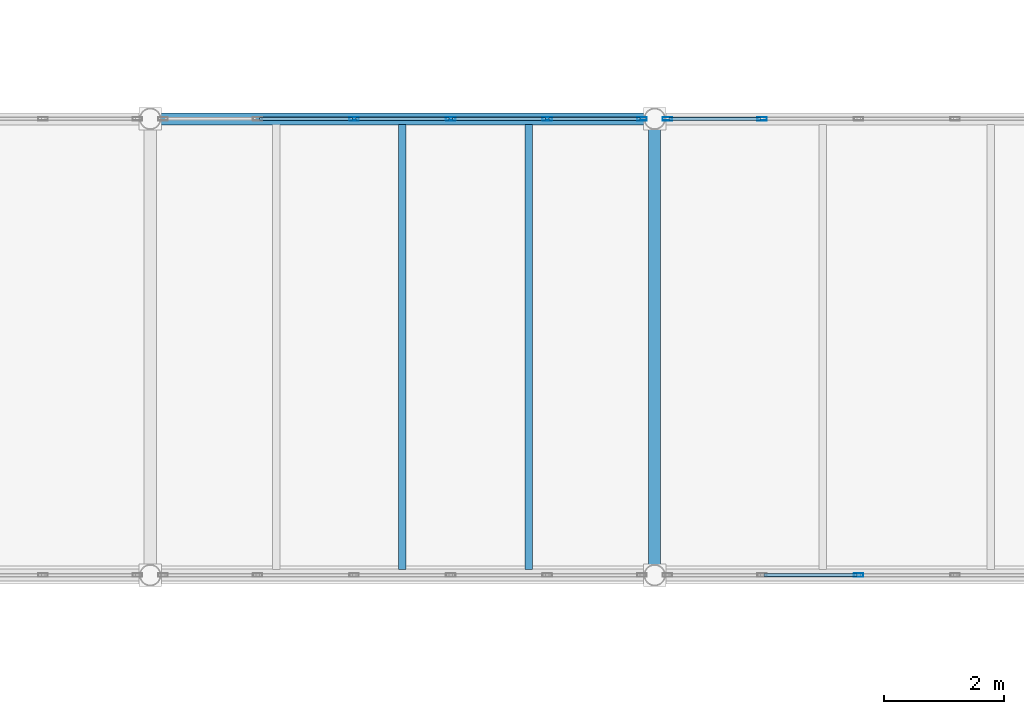
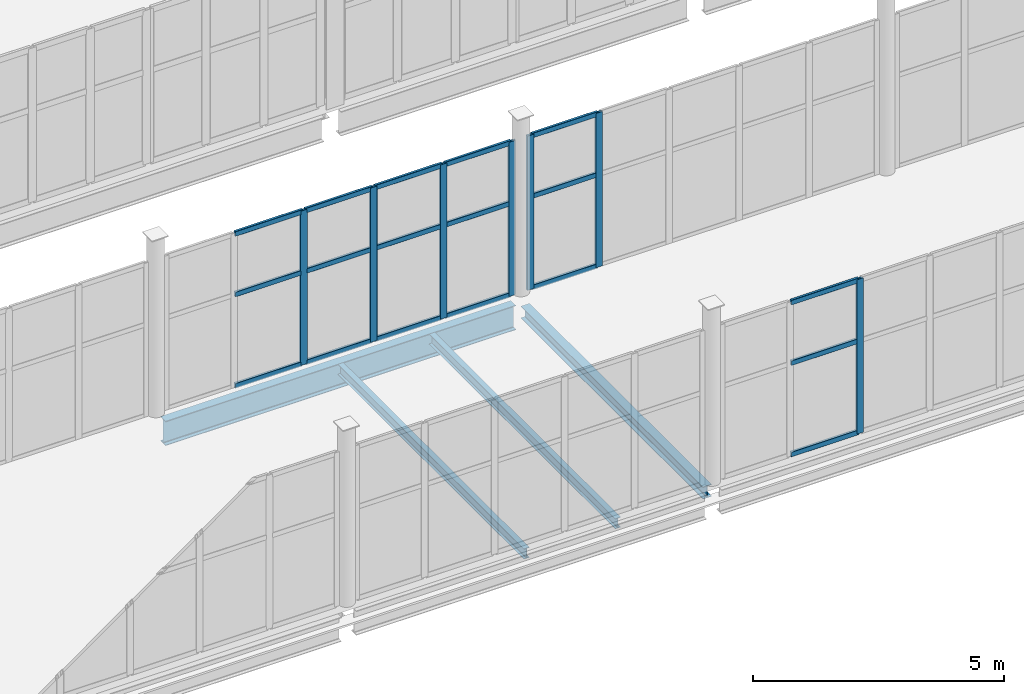
# One storey, part 45 of 172: 25 members, 4 beams, 3 elements without a shape of their own.
"""IFC4 building model written with IfcOpenShell, lengths in metres."""

import ifcopenshell
import ifcopenshell.guid

model = None  # the IFC model being written
_history = None  # IfcOwnerHistory: only IFC2X3 demands one
_inside = {}  # id of a spatial element -> (the spatial element, [elements in it])
_under = {}  # id of a project, library or spatial element -> (it, [spatial elements below it])
_declared = {}  # id of a project -> (the project, [libraries it declares])
_typed = {}  # id of a type object -> (the type object, [elements of that type])
_made_of = {}  # id of a material, layer set ... -> (it, [elements and type objects made of it])


def new_model(schema):
    """Start an empty IFC model of exactly this schema.

    Asked for "IFC4X3", IfcOpenShell would pick the latest addendum, in which some entities
    have other attributes; the version numbers below select the first issue.
    IFC2X3 requires an IfcOwnerHistory on every rooted entity: one is made here for all.
    """
    global model, _history
    if schema == "IFC4X3":
        model = ifcopenshell.file(schema_version=(4, 3, 0, 0))
    else:
        model = ifcopenshell.file(schema=schema)
    _inside.clear()
    _under.clear()
    _declared.clear()
    _typed.clear()
    _made_of.clear()
    _history = None
    if model.schema == "IFC2X3":
        org = make("IfcOrganization", Name="unknown")
        user = make(
            "IfcPersonAndOrganization",
            ThePerson=make("IfcPerson", FamilyName="unknown"),
            TheOrganization=org,
        )
        app = make(
            "IfcApplication",
            ApplicationDeveloper=org,
            Version="unknown",
            ApplicationFullName="unknown",
            ApplicationIdentifier="unknown",
        )
        _history = make(
            "IfcOwnerHistory",
            OwningUser=user,
            OwningApplication=app,
            ChangeAction="ADDED",
            CreationDate=0,
        )
    return model


def make(cls, **values):
    """One entity of the class cls with the attributes given. An attribute that is None is left unset."""
    return model.create_entity(
        cls, **{name: value for name, value in values.items() if value is not None}
    )


def rooted(cls, **values):
    """An entity with a GlobalId (a new one), such as an element, a storey or a relation."""
    return make(cls, GlobalId=ifcopenshell.guid.new(), OwnerHistory=_history, **values)


def si_unit(unit_type, name, prefix=None):
    """IfcSIUnit, for example si_unit("LENGTHUNIT", "METRE", prefix="MILLI")."""
    return make("IfcSIUnit", UnitType=unit_type, Prefix=prefix, Name=name)


def assignment(units):
    """IfcUnitAssignment: the units of a project."""
    return None if units is None else make("IfcUnitAssignment", Units=units)


def point(xyz):
    """IfcCartesianPoint."""
    return None if xyz is None else make("IfcCartesianPoint", Coordinates=xyz)


def direction(xyz):
    """IfcDirection."""
    return None if xyz is None else make("IfcDirection", DirectionRatios=xyz)


def frame(location, z_axis=None, x_axis=None):
    """IfcAxis2Placement3D, a coordinate frame: its origin and axes. An axis left out is left unset."""
    return make(
        "IfcAxis2Placement3D",
        Location=point(location),
        Axis=direction(z_axis),
        RefDirection=direction(x_axis),
    )


def frame_2d(location, x_axis=None):
    """IfcAxis2Placement2D, a coordinate frame in the plane: its origin and x axis."""
    return make(
        "IfcAxis2Placement2D", Location=point(location), RefDirection=direction(x_axis)
    )


def origin():
    """The frame at (0, 0, 0) with its axes left unset."""
    return frame((0.0, 0.0, 0.0))


def origin_2d():
    """The frame at (0, 0) in the plane with its x axis left unset."""
    return frame_2d((0.0, 0.0))


def place(relative_to, where):
    """IfcLocalPlacement: puts the frame where relative to a parent placement (None: the world)."""
    return make(
        "IfcLocalPlacement", PlacementRelTo=relative_to, RelativePlacement=where
    )


def context(
    kind, dimensions, precision=None, world=None, true_north=None, identifier=None
):
    """IfcGeometricRepresentationContext, for example the 3D "Model" context."""
    return make(
        "IfcGeometricRepresentationContext",
        ContextIdentifier=identifier,
        ContextType=kind,
        CoordinateSpaceDimension=dimensions,
        Precision=precision,
        WorldCoordinateSystem=world,
        TrueNorth=true_north,
    )


def subcontext(parent, identifier, kind, view, scale=None):
    """IfcGeometricRepresentationSubContext, for example "Body" below "Model"."""
    return make(
        "IfcGeometricRepresentationSubContext",
        ContextIdentifier=identifier,
        ContextType=kind,
        ParentContext=parent,
        TargetScale=scale,
        TargetView=view,
    )


def project(units=None, contexts=None):
    """IfcProject with its units and contexts."""
    return rooted(
        "IfcProject",
        Name="project",
        RepresentationContexts=contexts,
        UnitsInContext=assignment(units),
    )


def spatial(cls, under=None, at=None, **own):
    """A site, building, storey or space (cls), placed at a placement, below another one or the project."""
    s = rooted(cls, ObjectPlacement=at, **own)
    if under is not None:
        _under.setdefault(under.id(), (under, []))[1].append(s)
    return s


def profile(cls, at=None, kind="AREA", **sizes):
    """A parametric profile (cls). Its sizes go by their IFC names, for example OverallWidth=200.0."""
    return make(cls, ProfileType=kind, Position=at, **sizes)


def hollow_rectangle(**sizes):
    """IfcRectangleHollowProfileDef."""
    return profile("IfcRectangleHollowProfileDef", **sizes)


def i_section(**sizes):
    """IfcIShapeProfileDef."""
    return profile("IfcIShapeProfileDef", **sizes)


def extrude(swept, where, along, depth):
    """IfcExtrudedAreaSolid: the profile swept, set in the frame where, extruded along a direction by depth."""
    return make(
        "IfcExtrudedAreaSolid",
        SweptArea=swept,
        Position=where,
        ExtrudedDirection=direction(along),
        Depth=depth,
    )


def shape(context_of_items, identifier, shape_type, items):
    """IfcShapeRepresentation: the items that make up one representation, for example the "Body"."""
    return make(
        "IfcShapeRepresentation",
        ContextOfItems=context_of_items,
        RepresentationIdentifier=identifier,
        RepresentationType=shape_type,
        Items=items,
    )


def material(Name=None, Category=None):
    """IfcMaterial."""
    return make("IfcMaterial", Name=Name, Category=Category)


def material_profile(
    of_material, cross_section, Name=None, Category=None, Priority=None
):
    """IfcMaterialProfile: a cross section and its material."""
    return make(
        "IfcMaterialProfile",
        Name=Name,
        Material=of_material,
        Profile=cross_section,
        Priority=Priority,
        Category=Category,
    )


def profile_set(profiles, Name=None, composite=None):
    """IfcMaterialProfileSet."""
    return make(
        "IfcMaterialProfileSet",
        Name=Name,
        MaterialProfiles=profiles,
        CompositeProfile=composite,
    )


def made_of(thing, what):
    """Note that an element or type object is made of a material, layer set ...; save() writes the relation."""
    if what is not None:
        _made_of.setdefault(what.id(), (what, []))[1].append(thing)
    return thing


def type_object(cls, material=None, **own):
    """A type object (cls), such as IfcWallType, which elements share."""
    return made_of(rooted(cls, **own), material)


def element(
    cls,
    number,
    at=None,
    inside=None,
    cuts=None,
    type_object=None,
    material=None,
    context=None,
    identifier="Body",
    shape_type=None,
    held_by="IfcProductDefinitionShape",
    body=None,
    shapes=None,
    **own,
):
    """One element of the class cls, such as IfcWall. Its Tag is "e" and its number.

    at: its placement. inside: the storey or other place that contains it. cuts: it is an
    opening in that element (IfcRelVoidsElement). A single representation is given by context,
    identifier, shape_type and body (its items); several are given by shapes. held_by: the class
    of the entity that holds the representations. save() writes the other relations.
    """
    e = rooted(cls, Tag="e%d" % number, ObjectPlacement=at, **own)
    if body is not None:
        shapes = [shape(context, identifier, shape_type, body)]
    if shapes is not None:
        e.Representation = make(held_by, Representations=shapes)
    if inside is not None:
        _inside.setdefault(inside.id(), (inside, []))[1].append(e)
    if cuts is not None:
        rooted(
            "IfcRelVoidsElement", RelatingBuildingElement=cuts, RelatedOpeningElement=e
        )
    if type_object is not None:
        _typed.setdefault(type_object.id(), (type_object, []))[1].append(e)
    return made_of(e, material)


def aggregate(whole, parts):
    """IfcRelAggregates: a whole, such as a stair, and the parts it consists of."""
    return rooted("IfcRelAggregates", RelatingObject=whole, RelatedObjects=parts)


def save(model, path):
    """Write the relations noted so far, then the file.

    IfcRelAggregates (storeys below a building ...), IfcRelContainedInSpatialStructure (elements
    in a storey), IfcRelDefinesByType, IfcRelAssociatesMaterial and IfcRelDeclares: one each for
    every whole, place, type object, material and project.
    """
    for whole, parts in _under.values():
        aggregate(whole, parts)
    for where, things in _inside.values():
        rooted(
            "IfcRelContainedInSpatialStructure",
            RelatedElements=things,
            RelatingStructure=where,
        )
    for kind, things in _typed.values():
        rooted("IfcRelDefinesByType", RelatedObjects=things, RelatingType=kind)
    for what, things in _made_of.values():
        rooted("IfcRelAssociatesMaterial", RelatedObjects=things, RelatingMaterial=what)
    for by, libraries in _declared.values():
        rooted("IfcRelDeclares", RelatingContext=by, RelatedDefinitions=libraries)
    model.write(path)


model = new_model("IFC4")

# Units and contexts
model_context = context("Model", 3, precision=1e-05, world=origin(), true_north=direction((0.0, 1.0)))
body_context = subcontext(model_context, "Body", "Model", "MODEL_VIEW")
ifc_project = project(units=[si_unit("LENGTHUNIT", "METRE"), si_unit("AREAUNIT", "SQUARE_METRE"), si_unit("VOLUMEUNIT", "CUBIC_METRE"), si_unit("PLANEANGLEUNIT", "RADIAN"), si_unit("MASSUNIT", "GRAM", prefix="KILO")], contexts=[model_context])

# Site, building, storey
site_placement = place(None, origin())
site = spatial("IfcSite", under=ifc_project, at=site_placement, CompositionType="ELEMENT")
building_placement = place(site_placement, origin())
building = spatial("IfcBuilding", under=site, at=building_placement, Name="Shengluoqiao Park Theatre", CompositionType="ELEMENT")
storey_placement = place(building_placement, frame((0.0, 0.0, 5.39990234375)))
storey = spatial("IfcBuildingStorey", under=building, at=storey_placement, Name="L01", CompositionType="ELEMENT", Elevation=5.39990234375)

# Curtain wall, member
ifc_material_1 = material(Name="Aluminium 6063-T6", Category="aluminium")
curtain_wall_type = type_object("IfcCurtainWallType", Name="ENV-CW-BRIDGE", PredefinedType="NOTDEFINED", material=ifc_material_1)
curtain_wall_1_placement = place(storey_placement, origin())
curtain_wall_1 = element("IfcCurtainWall", 1, at=curtain_wall_1_placement, inside=storey, type_object=curtain_wall_type, Name="L01 Curtain Wall CWX-L01-0125", PredefinedType="NOTDEFINED")
ifc_material_profile_1 = material_profile(ifc_material_1, hollow_rectangle(XDim=0.06005859375, YDim=0.159912109375, WallThickness=0.00390625, InnerFilletRadius=0.00390625, OuterFilletRadius=0.008056640625, at=origin_2d()), Name="ALU MULLION 160x60x4")
ifc_profile_set_1 = profile_set([ifc_material_profile_1], Name="Aluminium 6063-T6")
member_type_1 = type_object("IfcMemberType", Name="ENV-MUL-160", PredefinedType="MULLION", material=ifc_profile_set_1)
member_1_placement = place(storey_placement, frame((64.596435546875, 53.199951171875, 0.0), z_axis=(0.0, 0.0, 1.0), x_axis=(0.0, 1.0, 0.0)))
member_1 = element("IfcMember", 2, at=member_1_placement, type_object=member_type_1, Name="CW-03 mullion 3", PredefinedType="MULLION", context=body_context, shape_type="SweptSolid", body=[
    extrude(hollow_rectangle(XDim=0.06005859375, YDim=0.159912109375, WallThickness=0.00390625, InnerFilletRadius=0.00390625, OuterFilletRadius=0.008056640625, at=origin_2d()), origin(), (0.0, 0.0, 1.0), 3.752197265625),
])

# Curtain wall, members
curtain_wall_2_placement = place(storey_placement, origin())
curtain_wall_2 = element("IfcCurtainWall", 3, at=curtain_wall_2_placement, inside=storey, type_object=curtain_wall_type, Name="L01 Curtain Wall CWX-L01-0137", PredefinedType="NOTDEFINED")
member_2_placement = place(storey_placement, frame((56.1962890625, 60.800048828125, 0.0), z_axis=(0.0, 0.0, 1.0), x_axis=(0.0, 1.0, 0.0)))
member_2 = element("IfcMember", 4, at=member_2_placement, type_object=member_type_1, Name="CW-03 mullion 3", PredefinedType="MULLION", context=body_context, shape_type="SweptSolid", body=[
    extrude(hollow_rectangle(XDim=0.06005859375, YDim=0.159912109375, WallThickness=0.00390625, InnerFilletRadius=0.00390625, OuterFilletRadius=0.008056640625, at=origin_2d()), origin(), (0.0, 0.0, 1.0), 3.752197265625),
])
member_3_placement = place(storey_placement, frame((57.8037109375, 60.800048828125, 0.0), z_axis=(0.0, 0.0, 1.0), x_axis=(0.0, 1.0, 0.0)))
member_3 = element("IfcMember", 5, at=member_3_placement, type_object=member_type_1, Name="CW-03 mullion 4", PredefinedType="MULLION", context=body_context, shape_type="SweptSolid", body=[
    extrude(hollow_rectangle(XDim=0.06005859375, YDim=0.159912109375, WallThickness=0.00390625, InnerFilletRadius=0.00390625, OuterFilletRadius=0.008056640625, at=origin_2d()), origin(), (0.0, 0.0, 1.0), 3.752197265625),
])
member_4_placement = place(storey_placement, frame((59.410888671875, 60.800048828125, 0.0), z_axis=(0.0, 0.0, 1.0), x_axis=(0.0, 1.0, 0.0)))
member_4 = element("IfcMember", 6, at=member_4_placement, type_object=member_type_1, Name="CW-03 mullion 5", PredefinedType="MULLION", context=body_context, shape_type="SweptSolid", body=[
    extrude(hollow_rectangle(XDim=0.06005859375, YDim=0.159912109375, WallThickness=0.00390625, InnerFilletRadius=0.00390625, OuterFilletRadius=0.008056640625, at=origin_2d()), origin(), (0.0, 0.0, 1.0), 3.752197265625),
])
member_5_placement = place(storey_placement, frame((60.988037109375, 60.800048828125, 0.0), z_axis=(0.0, 0.0, 1.0), x_axis=(0.0, 1.0, 0.0)))
member_5 = element("IfcMember", 7, at=member_5_placement, type_object=member_type_1, Name="CW-03 mullion 6", PredefinedType="MULLION", context=body_context, shape_type="SweptSolid", body=[
    extrude(hollow_rectangle(XDim=0.06005859375, YDim=0.159912109375, WallThickness=0.00390625, InnerFilletRadius=0.00390625, OuterFilletRadius=0.008056640625, at=origin_2d()), origin(), (0.0, 0.0, 1.0), 3.752197265625),
])

curtain_wall_3_placement = place(storey_placement, origin())
curtain_wall_3 = element("IfcCurtainWall", 8, at=curtain_wall_3_placement, inside=storey, type_object=curtain_wall_type, Name="L01 Curtain Wall CWX-L01-0138", PredefinedType="NOTDEFINED")
member_6_placement = place(storey_placement, frame((61.412109375, 60.800048828125, 0.0), z_axis=(0.0, 0.0, 1.0), x_axis=(0.0, 1.0, 0.0)))
member_6 = element("IfcMember", 9, at=member_6_placement, type_object=member_type_1, Name="CW-03 mullion 1", PredefinedType="MULLION", context=body_context, shape_type="SweptSolid", body=[
    extrude(hollow_rectangle(XDim=0.06005859375, YDim=0.159912109375, WallThickness=0.00390625, InnerFilletRadius=0.00390625, OuterFilletRadius=0.008056640625, at=origin_2d()), origin(), (0.0, 0.0, 1.0), 3.752197265625),
])
member_7_placement = place(storey_placement, frame((62.9892578125, 60.800048828125, 0.0), z_axis=(0.0, 0.0, 1.0), x_axis=(0.0, 1.0, 0.0)))
member_7 = element("IfcMember", 10, at=member_7_placement, type_object=member_type_1, Name="CW-03 mullion 2", PredefinedType="MULLION", context=body_context, shape_type="SweptSolid", body=[
    extrude(hollow_rectangle(XDim=0.06005859375, YDim=0.159912109375, WallThickness=0.00390625, InnerFilletRadius=0.00390625, OuterFilletRadius=0.008056640625, at=origin_2d()), origin(), (0.0, 0.0, 1.0), 3.752197265625),
])

# Member
ifc_material_profile_2 = material_profile(ifc_material_1, hollow_rectangle(XDim=0.06005859375, YDim=0.1201171875, WallThickness=0.00390625, InnerFilletRadius=0.00390625, OuterFilletRadius=0.008056640625, at=origin_2d()), Name="ALU TRANSOM 120x60x4")
ifc_profile_set_2 = profile_set([ifc_material_profile_2], Name="Aluminium 6063-T6")
member_type_2 = type_object("IfcMemberType", Name="ENV-TRN-120", PredefinedType="USERDEFINED", material=ifc_profile_set_2)
member_8_placement = place(storey_placement, frame((63.019287109375, 53.199951171875, 0.030029296875), z_axis=(1.0, 0.0, 0.0), x_axis=(0.0, 1.0, 0.0)))
member_8 = element("IfcMember", 11, at=member_8_placement, type_object=member_type_2, Name="CW-03 transom 2.1", ObjectType="TRANSOM", PredefinedType="USERDEFINED", context=body_context, shape_type="SweptSolid", body=[
    extrude(hollow_rectangle(XDim=0.06005859375, YDim=0.1201171875, WallThickness=0.00390625, InnerFilletRadius=0.00390625, OuterFilletRadius=0.008056640625, at=origin_2d()), origin(), (0.0, 0.0, 1.0), 1.547119140625),
])

member_9_placement = place(storey_placement, frame((63.019287109375, 53.199951171875, 2.2509765625), z_axis=(1.0, 0.0, 0.0), x_axis=(0.0, 1.0, 0.0)))
member_9 = element("IfcMember", 12, at=member_9_placement, type_object=member_type_2, Name="CW-03 transom 2.2", ObjectType="TRANSOM", PredefinedType="USERDEFINED", context=body_context, shape_type="SweptSolid", body=[
    extrude(hollow_rectangle(XDim=0.06005859375, YDim=0.1201171875, WallThickness=0.00390625, InnerFilletRadius=0.00390625, OuterFilletRadius=0.008056640625, at=origin_2d()), origin(), (0.0, 0.0, 1.0), 1.547119140625),
])

member_10_placement = place(storey_placement, frame((63.019287109375, 53.199951171875, 3.72216796875), z_axis=(1.0, 0.0, 0.0), x_axis=(0.0, 1.0, 0.0)))
member_10 = element("IfcMember", 13, at=member_10_placement, type_object=member_type_2, Name="CW-03 transom 2.3", ObjectType="TRANSOM", PredefinedType="USERDEFINED", context=body_context, shape_type="SweptSolid", body=[
    extrude(hollow_rectangle(XDim=0.06005859375, YDim=0.1201171875, WallThickness=0.00390625, InnerFilletRadius=0.00390625, OuterFilletRadius=0.008056640625, at=origin_2d()), origin(), (0.0, 0.0, 1.0), 1.547119140625),
])

aggregate(curtain_wall_1, [member_1, member_8, member_9, member_10])

member_11_placement = place(storey_placement, frame((54.619140625, 60.800048828125, 0.030029296875), z_axis=(1.0, 0.0, 0.0), x_axis=(0.0, 1.0, 0.0)))
member_11 = element("IfcMember", 14, at=member_11_placement, type_object=member_type_2, Name="CW-03 transom 2.1", ObjectType="TRANSOM", PredefinedType="USERDEFINED", context=body_context, shape_type="SweptSolid", body=[
    extrude(hollow_rectangle(XDim=0.06005859375, YDim=0.1201171875, WallThickness=0.00390625, InnerFilletRadius=0.00390625, OuterFilletRadius=0.008056640625, at=origin_2d()), origin(), (0.0, 0.0, 1.0), 1.54736328125),
])

member_12_placement = place(storey_placement, frame((54.619140625, 60.800048828125, 2.2509765625), z_axis=(1.0, 0.0, 0.0), x_axis=(0.0, 1.0, 0.0)))
member_12 = element("IfcMember", 15, at=member_12_placement, type_object=member_type_2, Name="CW-03 transom 2.2", ObjectType="TRANSOM", PredefinedType="USERDEFINED", context=body_context, shape_type="SweptSolid", body=[
    extrude(hollow_rectangle(XDim=0.06005859375, YDim=0.1201171875, WallThickness=0.00390625, InnerFilletRadius=0.00390625, OuterFilletRadius=0.008056640625, at=origin_2d()), origin(), (0.0, 0.0, 1.0), 1.54736328125),
])

member_13_placement = place(storey_placement, frame((54.619140625, 60.800048828125, 3.72216796875), z_axis=(1.0, 0.0, 0.0), x_axis=(0.0, 1.0, 0.0)))
member_13 = element("IfcMember", 16, at=member_13_placement, type_object=member_type_2, Name="CW-03 transom 2.3", ObjectType="TRANSOM", PredefinedType="USERDEFINED", context=body_context, shape_type="SweptSolid", body=[
    extrude(hollow_rectangle(XDim=0.06005859375, YDim=0.1201171875, WallThickness=0.00390625, InnerFilletRadius=0.00390625, OuterFilletRadius=0.008056640625, at=origin_2d()), origin(), (0.0, 0.0, 1.0), 1.54736328125),
])

member_14_placement = place(storey_placement, frame((56.226318359375, 60.800048828125, 0.030029296875), z_axis=(1.0, 0.0, 0.0), x_axis=(0.0, 1.0, 0.0)))
member_14 = element("IfcMember", 17, at=member_14_placement, type_object=member_type_2, Name="CW-03 transom 3.1", ObjectType="TRANSOM", PredefinedType="USERDEFINED", context=body_context, shape_type="SweptSolid", body=[
    extrude(hollow_rectangle(XDim=0.06005859375, YDim=0.1201171875, WallThickness=0.00390625, InnerFilletRadius=0.00390625, OuterFilletRadius=0.008056640625, at=origin_2d()), origin(), (0.0, 0.0, 1.0), 1.54736328125),
])

member_15_placement = place(storey_placement, frame((56.226318359375, 60.800048828125, 2.2509765625), z_axis=(1.0, 0.0, 0.0), x_axis=(0.0, 1.0, 0.0)))
member_15 = element("IfcMember", 18, at=member_15_placement, type_object=member_type_2, Name="CW-03 transom 3.2", ObjectType="TRANSOM", PredefinedType="USERDEFINED", context=body_context, shape_type="SweptSolid", body=[
    extrude(hollow_rectangle(XDim=0.06005859375, YDim=0.1201171875, WallThickness=0.00390625, InnerFilletRadius=0.00390625, OuterFilletRadius=0.008056640625, at=origin_2d()), origin(), (0.0, 0.0, 1.0), 1.54736328125),
])

member_16_placement = place(storey_placement, frame((56.226318359375, 60.800048828125, 3.72216796875), z_axis=(1.0, 0.0, 0.0), x_axis=(0.0, 1.0, 0.0)))
member_16 = element("IfcMember", 19, at=member_16_placement, type_object=member_type_2, Name="CW-03 transom 3.3", ObjectType="TRANSOM", PredefinedType="USERDEFINED", context=body_context, shape_type="SweptSolid", body=[
    extrude(hollow_rectangle(XDim=0.06005859375, YDim=0.1201171875, WallThickness=0.00390625, InnerFilletRadius=0.00390625, OuterFilletRadius=0.008056640625, at=origin_2d()), origin(), (0.0, 0.0, 1.0), 1.54736328125),
])

member_17_placement = place(storey_placement, frame((57.83349609375, 60.800048828125, 0.030029296875), z_axis=(1.0, 0.0, 0.0), x_axis=(0.0, 1.0, 0.0)))
member_17 = element("IfcMember", 20, at=member_17_placement, type_object=member_type_2, Name="CW-03 transom 4.1", ObjectType="TRANSOM", PredefinedType="USERDEFINED", context=body_context, shape_type="SweptSolid", body=[
    extrude(hollow_rectangle(XDim=0.06005859375, YDim=0.1201171875, WallThickness=0.00390625, InnerFilletRadius=0.00390625, OuterFilletRadius=0.008056640625, at=origin_2d()), origin(), (0.0, 0.0, 1.0), 1.54736328125),
])

member_18_placement = place(storey_placement, frame((57.83349609375, 60.800048828125, 2.2509765625), z_axis=(1.0, 0.0, 0.0), x_axis=(0.0, 1.0, 0.0)))
member_18 = element("IfcMember", 21, at=member_18_placement, type_object=member_type_2, Name="CW-03 transom 4.2", ObjectType="TRANSOM", PredefinedType="USERDEFINED", context=body_context, shape_type="SweptSolid", body=[
    extrude(hollow_rectangle(XDim=0.06005859375, YDim=0.1201171875, WallThickness=0.00390625, InnerFilletRadius=0.00390625, OuterFilletRadius=0.008056640625, at=origin_2d()), origin(), (0.0, 0.0, 1.0), 1.54736328125),
])

member_19_placement = place(storey_placement, frame((57.83349609375, 60.800048828125, 3.72216796875), z_axis=(1.0, 0.0, 0.0), x_axis=(0.0, 1.0, 0.0)))
member_19 = element("IfcMember", 22, at=member_19_placement, type_object=member_type_2, Name="CW-03 transom 4.3", ObjectType="TRANSOM", PredefinedType="USERDEFINED", context=body_context, shape_type="SweptSolid", body=[
    extrude(hollow_rectangle(XDim=0.06005859375, YDim=0.1201171875, WallThickness=0.00390625, InnerFilletRadius=0.00390625, OuterFilletRadius=0.008056640625, at=origin_2d()), origin(), (0.0, 0.0, 1.0), 1.54736328125),
])

member_20_placement = place(storey_placement, frame((59.44091796875, 60.800048828125, 0.030029296875), z_axis=(1.0, 0.0, 0.0), x_axis=(0.0, 1.0, 0.0)))
member_20 = element("IfcMember", 23, at=member_20_placement, type_object=member_type_2, Name="CW-03 transom 5.1", ObjectType="TRANSOM", PredefinedType="USERDEFINED", context=body_context, shape_type="SweptSolid", body=[
    extrude(hollow_rectangle(XDim=0.06005859375, YDim=0.1201171875, WallThickness=0.00390625, InnerFilletRadius=0.00390625, OuterFilletRadius=0.008056640625, at=origin_2d()), origin(), (0.0, 0.0, 1.0), 1.51708984375),
])

member_21_placement = place(storey_placement, frame((59.44091796875, 60.800048828125, 2.2509765625), z_axis=(1.0, 0.0, 0.0), x_axis=(0.0, 1.0, 0.0)))
member_21 = element("IfcMember", 24, at=member_21_placement, type_object=member_type_2, Name="CW-03 transom 5.2", ObjectType="TRANSOM", PredefinedType="USERDEFINED", context=body_context, shape_type="SweptSolid", body=[
    extrude(hollow_rectangle(XDim=0.06005859375, YDim=0.1201171875, WallThickness=0.00390625, InnerFilletRadius=0.00390625, OuterFilletRadius=0.008056640625, at=origin_2d()), origin(), (0.0, 0.0, 1.0), 1.51708984375),
])

member_22_placement = place(storey_placement, frame((59.44091796875, 60.800048828125, 3.72216796875), z_axis=(1.0, 0.0, 0.0), x_axis=(0.0, 1.0, 0.0)))
member_22 = element("IfcMember", 25, at=member_22_placement, type_object=member_type_2, Name="CW-03 transom 5.3", ObjectType="TRANSOM", PredefinedType="USERDEFINED", context=body_context, shape_type="SweptSolid", body=[
    extrude(hollow_rectangle(XDim=0.06005859375, YDim=0.1201171875, WallThickness=0.00390625, InnerFilletRadius=0.00390625, OuterFilletRadius=0.008056640625, at=origin_2d()), origin(), (0.0, 0.0, 1.0), 1.51708984375),
])

aggregate(curtain_wall_2, [member_2, member_3, member_4, member_5, member_11, member_12, member_13, member_14, member_15, member_16, member_17, member_18, member_19, member_20, member_21, member_22])

member_23_placement = place(storey_placement, frame((61.44189453125, 60.800048828125, 0.030029296875), z_axis=(1.0, 0.0, 0.0), x_axis=(0.0, 1.0, 0.0)))
member_23 = element("IfcMember", 26, at=member_23_placement, type_object=member_type_2, Name="CW-03 transom 1.1", ObjectType="TRANSOM", PredefinedType="USERDEFINED", context=body_context, shape_type="SweptSolid", body=[
    extrude(hollow_rectangle(XDim=0.06005859375, YDim=0.1201171875, WallThickness=0.00390625, InnerFilletRadius=0.00390625, OuterFilletRadius=0.008056640625, at=origin_2d()), origin(), (0.0, 0.0, 1.0), 1.517333984375),
])

member_24_placement = place(storey_placement, frame((61.44189453125, 60.800048828125, 2.2509765625), z_axis=(1.0, 0.0, 0.0), x_axis=(0.0, 1.0, 0.0)))
member_24 = element("IfcMember", 27, at=member_24_placement, type_object=member_type_2, Name="CW-03 transom 1.2", ObjectType="TRANSOM", PredefinedType="USERDEFINED", context=body_context, shape_type="SweptSolid", body=[
    extrude(hollow_rectangle(XDim=0.06005859375, YDim=0.1201171875, WallThickness=0.00390625, InnerFilletRadius=0.00390625, OuterFilletRadius=0.008056640625, at=origin_2d()), origin(), (0.0, 0.0, 1.0), 1.517333984375),
])

member_25_placement = place(storey_placement, frame((61.44189453125, 60.800048828125, 3.72216796875), z_axis=(1.0, 0.0, 0.0), x_axis=(0.0, 1.0, 0.0)))
member_25 = element("IfcMember", 28, at=member_25_placement, type_object=member_type_2, Name="CW-03 transom 1.3", ObjectType="TRANSOM", PredefinedType="USERDEFINED", context=body_context, shape_type="SweptSolid", body=[
    extrude(hollow_rectangle(XDim=0.06005859375, YDim=0.1201171875, WallThickness=0.00390625, InnerFilletRadius=0.00390625, OuterFilletRadius=0.008056640625, at=origin_2d()), origin(), (0.0, 0.0, 1.0), 1.517333984375),
])

aggregate(curtain_wall_3, [member_6, member_7, member_23, member_24, member_25])

# Beams
ifc_material_2 = material(Name="Steel Q355", Category="steel")
ifc_material_profile_3 = material_profile(ifc_material_2, i_section(OverallWidth=0.199951171875, OverallDepth=0.2939453125, WebThickness=0.008056640625, FlangeThickness=0.011962890625, FilletRadius=0.01611328125, at=origin_2d()), Name="HM 294x200x8x12")
ifc_profile_set_3 = profile_set([ifc_material_profile_3], Name="Steel Q355")
beam_type_1 = type_object("IfcBeamType", Name="STR-BM-G-HM294", PredefinedType="BEAM", material=ifc_profile_set_3)
beam_1_placement = place(storey_placement, frame((61.199951171875, 53.3720703125, -0.35693359375), z_axis=(0.0, 1.0, 0.0), x_axis=(-1.0, 0.0, 0.0)))
element("IfcBeam", 29, at=beam_1_placement, inside=storey, type_object=beam_type_1, Name="L01 Transverse Girder 00588", PredefinedType="BEAM", context=body_context, shape_type="SweptSolid", body=[
    extrude(i_section(OverallWidth=0.199951171875, OverallDepth=0.2939453125, WebThickness=0.008056640625, FlangeThickness=0.011962890625, FilletRadius=0.01611328125, at=origin_2d()), origin(), (0.0, 0.0, 1.0), 7.255859375),
])
ifc_material_profile_4 = material_profile(ifc_material_2, i_section(OverallWidth=0.125, OverallDepth=0.25, WebThickness=0.006103515625, FlangeThickness=0.009033203125, FilletRadius=0.010009765625, at=origin_2d()), Name="HN 250x125x6x9")
ifc_profile_set_4 = profile_set([ifc_material_profile_4], Name="Steel Q355")
beam_type_2 = type_object("IfcBeamType", Name="STR-BM-J-HN250", PredefinedType="JOIST", material=ifc_profile_set_4)
for number, where, z_axis, x_axis, name in (
    (30, (57.0, 53.29443359375, -0.3349609375), (0.0, 1.0, 0.0), (-1.0, 0.0, 0.0), "L01 Composite Joist 00603"),
    (31, (59.10009765625, 53.29443359375, -0.3349609375), (0.0, 1.0, 0.0), (-1.0, 0.0, 0.0), "L01 Composite Joist 00604"),
):
    element("IfcBeam", number, at=place(storey_placement, frame(where, z_axis=z_axis, x_axis=x_axis)), inside=storey, type_object=beam_type_2, Name=name, PredefinedType="JOIST", context=body_context, shape_type="SweptSolid", body=[
        extrude(i_section(OverallWidth=0.125, OverallDepth=0.25, WebThickness=0.006103515625, FlangeThickness=0.009033203125, FilletRadius=0.010009765625, at=origin_2d()), origin(), (0.0, 0.0, 1.0), 7.4111328125),
    ])
ifc_material_profile_5 = material_profile(ifc_material_2, i_section(OverallWidth=0.198974609375, OverallDepth=0.595947265625, WebThickness=0.010009765625, FlangeThickness=0.014892578125, FilletRadius=0.02001953125, at=origin_2d()), Name="HN 596x199x10x15")
ifc_profile_set_5 = profile_set([ifc_material_profile_5], Name="Steel Q355")
beam_type_3 = type_object("IfcBeamType", Name="STR-BM-SP-HN596", PredefinedType="SPANDREL", material=ifc_profile_set_5)
beam_2_placement = place(storey_placement, frame((52.971923828125, 60.800048828125, -0.5078125), z_axis=(1.0, 0.0, 0.0), x_axis=(0.0, 1.0, 0.0)))
element("IfcBeam", 32, at=beam_2_placement, inside=storey, type_object=beam_type_3, Name="L01 Primary Girder 00575", PredefinedType="SPANDREL", context=body_context, shape_type="SweptSolid", body=[
    extrude(i_section(OverallWidth=0.198974609375, OverallDepth=0.595947265625, WebThickness=0.010009765625, FlangeThickness=0.014892578125, FilletRadius=0.02001953125, at=origin_2d()), origin(), (0.0, 0.0, 1.0), 8.05615234375),
])

save(model, "model.ifc")
